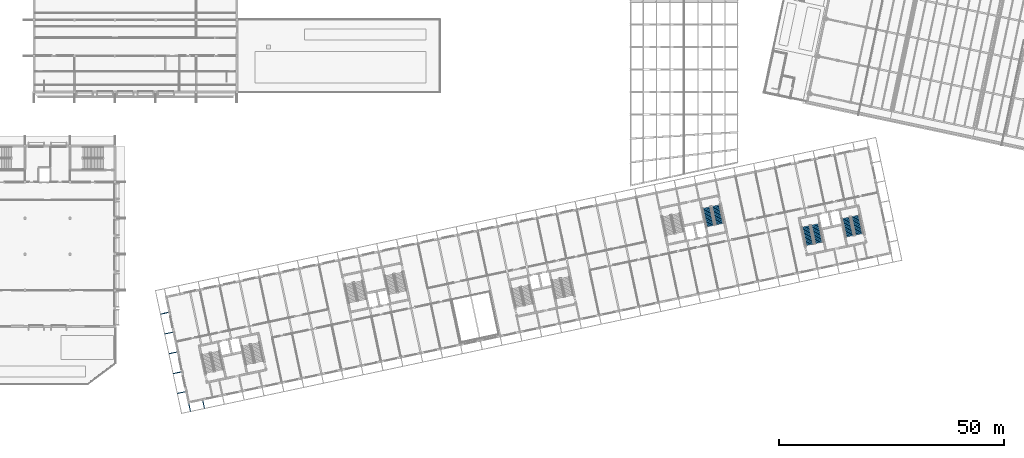
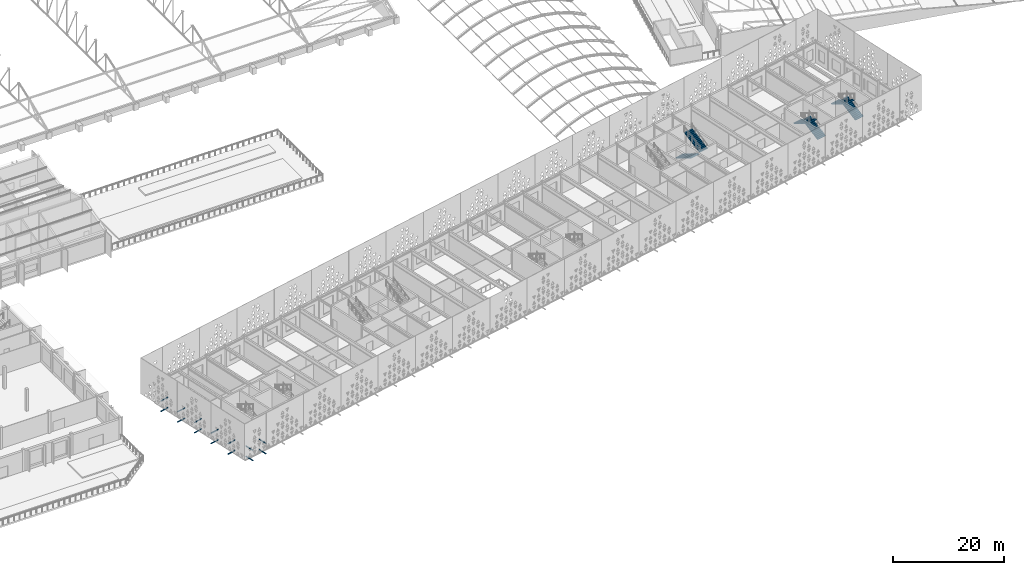
# One storey, part 132 of 196: 14 discrete accessories, 6 stair flights, 3 elements without a shape of their own.
"""IFC4 building model written with IfcOpenShell, lengths in metres."""

from ifc_helpers import new_model, si_unit, direction, frame, origin, origin_2d, place, context, subcontext, project, spatial, polyline, rectangle, outline, extrude, material, material_profile, profile_set, type_object, element, aggregate, save


model = new_model("IFC4")

# Units and contexts
model_context = context("Model", 3, precision=1e-05, world=origin(), true_north=direction((0.0, 1.0)))
body_context = subcontext(model_context, "Body", "Model", "MODEL_VIEW")
ifc_project = project(units=[si_unit("LENGTHUNIT", "METRE"), si_unit("AREAUNIT", "SQUARE_METRE"), si_unit("VOLUMEUNIT", "CUBIC_METRE"), si_unit("PLANEANGLEUNIT", "RADIAN"), si_unit("MASSUNIT", "GRAM", prefix="KILO")], contexts=[model_context])

# Site, building, storey
site_placement = place(None, origin())
site = spatial("IfcSite", under=ifc_project, at=site_placement, CompositionType="ELEMENT")
building_placement = place(site_placement, origin())
building = spatial("IfcBuilding", under=site, at=building_placement, Name="Okhra Congress Centre", CompositionType="ELEMENT")
storey_placement = place(building_placement, frame((0.0, 0.0, 12.0)))
storey = spatial("IfcBuildingStorey", under=building, at=storey_placement, Name="L02", CompositionType="ELEMENT", Elevation=12.0)

# Stair, stair flights
ifc_material_1 = material(Name="Concrete C30/37", Category="concrete")
stair_type = type_object("IfcStairType", Name="Escape stair 1900 wide, 30 risers of 160.0", PredefinedType="HALF_TURN_STAIR", material=ifc_material_1)
stair_1_placement = place(storey_placement, origin())
stair_1 = element("IfcStair", 1, at=stair_1_placement, inside=storey, type_object=stair_type, Name="L02 Escape stair 4B", PredefinedType="HALF_TURN_STAIR")
stair_flight_type = type_object("IfcStairFlightType", Name="Stair flight 1900 wide", PredefinedType="STRAIGHT", material=ifc_material_1)
stair_flight_1_placement = place(storey_placement, frame((177.247802734375, 70.352783203125, 0.0), z_axis=(0.0, 0.0, 1.0), x_axis=(0.207911690818, -0.978147600734, 0.0)))
stair_flight_1 = element("IfcStairFlight", 2, at=stair_flight_1_placement, type_object=stair_flight_type, Name="BS4B flight 1", NumberOfRisers=15, NumberOfTreads=14, PredefinedType="STRAIGHT", RiserHeight=0.16, TreadLength=0.3, context=body_context, shape_type="SweptSolid", body=[
    extrude(outline(polyline([(0.0, 0.0), (0.0, 0.159912109375), (0.300048828125, 0.159912109375), (0.300048828125, 0.320068359375), (0.60009765625, 0.320068359375), (0.60009765625, 0.47998046875), (0.89990234375, 0.47998046875), (0.89990234375, 0.639892578125), (1.199951171875, 0.639892578125), (1.199951171875, 0.800048828125), (1.5, 0.800048828125), (1.5, 0.9599609375), (1.800048828125, 0.9599609375), (1.800048828125, 1.1201171875), (2.10009765625, 1.1201171875), (2.10009765625, 1.280029296875), (2.39990234375, 1.280029296875), (2.39990234375, 1.43994140625), (2.699951171875, 1.43994140625), (2.699951171875, 1.60009765625), (3.0, 1.60009765625), (3.0, 1.760009765625), (3.300048828125, 1.760009765625), (3.300048828125, 1.919921875), (3.60009765625, 1.919921875), (3.60009765625, 2.080078125), (3.89990234375, 2.080078125), (3.89990234375, 2.239990234375), (4.199951171875, 2.239990234375), (4.199951171875, 2.39990234375), (4.199951171875, 2.103759765625), (0.25537109375, 0.0), (0.0, 0.0)])), frame((0.0, 0.949951171875, 0.0), z_axis=(0.0, -1.0, 0.0), x_axis=(1.0, 0.0, 0.0)), (0.0, 0.0, 1.0), 1.89990234375),
])
stair_flight_2_placement = place(storey_placement, frame((180.17529296875, 66.68115234375, 2.39990234375), z_axis=(0.0, 0.0, 1.0), x_axis=(-0.207911690818, 0.978147600734, 0.0)))
stair_flight_2 = element("IfcStairFlight", 3, at=stair_flight_2_placement, type_object=stair_flight_type, Name="BS4B flight 2", NumberOfRisers=15, NumberOfTreads=14, PredefinedType="STRAIGHT", RiserHeight=0.16, TreadLength=0.3, context=body_context, shape_type="SweptSolid", body=[
    extrude(outline(polyline([(0.0, 0.0), (0.0, 0.159912109375), (0.300048828125, 0.159912109375), (0.300048828125, 0.320068359375), (0.60009765625, 0.320068359375), (0.60009765625, 0.47998046875), (0.89990234375, 0.47998046875), (0.89990234375, 0.639892578125), (1.199951171875, 0.639892578125), (1.199951171875, 0.800048828125), (1.5, 0.800048828125), (1.5, 0.9599609375), (1.800048828125, 0.9599609375), (1.800048828125, 1.1201171875), (2.10009765625, 1.1201171875), (2.10009765625, 1.280029296875), (2.39990234375, 1.280029296875), (2.39990234375, 1.43994140625), (2.699951171875, 1.43994140625), (2.699951171875, 1.60009765625), (3.0, 1.60009765625), (3.0, 1.760009765625), (3.300048828125, 1.760009765625), (3.300048828125, 1.919921875), (3.60009765625, 1.919921875), (3.60009765625, 2.080078125), (3.89990234375, 2.080078125), (3.89990234375, 2.239990234375), (4.199951171875, 2.239990234375), (4.199951171875, 2.39990234375), (4.199951171875, 2.103759765625), (0.25537109375, 0.0), (0.0, 0.0)])), frame((0.0, 0.949951171875, 0.0), z_axis=(0.0, -1.0, 0.0), x_axis=(1.0, 0.0, 0.0)), (0.0, 0.0, 1.0), 1.89990234375),
])
aggregate(stair_1, [stair_flight_1, stair_flight_2])

stair_2_placement = place(storey_placement, origin())
stair_2 = element("IfcStair", 4, at=stair_2_placement, inside=storey, type_object=stair_type, Name="L02 Escape stair 5A", PredefinedType="HALF_TURN_STAIR")
stair_flight_3_placement = place(storey_placement, frame((202.22119140625, 62.52392578125, 0.0), z_axis=(0.0, 0.0, 1.0), x_axis=(-0.207911690818, 0.978147600734, 0.0)))
stair_flight_3 = element("IfcStairFlight", 5, at=stair_flight_3_placement, type_object=stair_flight_type, Name="BS5A flight 1", NumberOfRisers=15, NumberOfTreads=14, PredefinedType="STRAIGHT", RiserHeight=0.16, TreadLength=0.3, context=body_context, shape_type="SweptSolid", body=[
    extrude(outline(polyline([(0.0, 0.0), (0.0, 0.159912109375), (0.300048828125, 0.159912109375), (0.300048828125, 0.320068359375), (0.60009765625, 0.320068359375), (0.60009765625, 0.47998046875), (0.89990234375, 0.47998046875), (0.89990234375, 0.639892578125), (1.199951171875, 0.639892578125), (1.199951171875, 0.800048828125), (1.5, 0.800048828125), (1.5, 0.9599609375), (1.800048828125, 0.9599609375), (1.800048828125, 1.1201171875), (2.10009765625, 1.1201171875), (2.10009765625, 1.280029296875), (2.39990234375, 1.280029296875), (2.39990234375, 1.43994140625), (2.699951171875, 1.43994140625), (2.699951171875, 1.60009765625), (3.0, 1.60009765625), (3.0, 1.760009765625), (3.300048828125, 1.760009765625), (3.300048828125, 1.919921875), (3.60009765625, 1.919921875), (3.60009765625, 2.080078125), (3.89990234375, 2.080078125), (3.89990234375, 2.239990234375), (4.199951171875, 2.239990234375), (4.199951171875, 2.39990234375), (4.199951171875, 2.103759765625), (0.25537109375, 0.0), (0.0, 0.0)])), frame((0.0, 0.949951171875, 0.0), z_axis=(0.0, -1.0, 0.0), x_axis=(1.0, 0.0, 0.0)), (0.0, 0.0, 1.0), 1.89990234375),
])
stair_flight_4_placement = place(storey_placement, frame((199.2939453125, 66.195556640625, 2.39990234375), z_axis=(0.0, 0.0, 1.0), x_axis=(0.207911690818, -0.978147600734, 0.0)))
stair_flight_4 = element("IfcStairFlight", 6, at=stair_flight_4_placement, type_object=stair_flight_type, Name="BS5A flight 2", NumberOfRisers=15, NumberOfTreads=14, PredefinedType="STRAIGHT", RiserHeight=0.16, TreadLength=0.3, context=body_context, shape_type="SweptSolid", body=[
    extrude(outline(polyline([(0.0, 0.0), (0.0, 0.159912109375), (0.300048828125, 0.159912109375), (0.300048828125, 0.320068359375), (0.60009765625, 0.320068359375), (0.60009765625, 0.47998046875), (0.89990234375, 0.47998046875), (0.89990234375, 0.639892578125), (1.199951171875, 0.639892578125), (1.199951171875, 0.800048828125), (1.5, 0.800048828125), (1.5, 0.9599609375), (1.800048828125, 0.9599609375), (1.800048828125, 1.1201171875), (2.10009765625, 1.1201171875), (2.10009765625, 1.280029296875), (2.39990234375, 1.280029296875), (2.39990234375, 1.43994140625), (2.699951171875, 1.43994140625), (2.699951171875, 1.60009765625), (3.0, 1.60009765625), (3.0, 1.760009765625), (3.300048828125, 1.760009765625), (3.300048828125, 1.919921875), (3.60009765625, 1.919921875), (3.60009765625, 2.080078125), (3.89990234375, 2.080078125), (3.89990234375, 2.239990234375), (4.199951171875, 2.239990234375), (4.199951171875, 2.39990234375), (4.199951171875, 2.103759765625), (0.25537109375, 0.0), (0.0, 0.0)])), frame((0.0, 0.949951171875, 0.0), z_axis=(0.0, -1.0, 0.0), x_axis=(1.0, 0.0, 0.0)), (0.0, 0.0, 1.0), 1.89990234375),
])
aggregate(stair_2, [stair_flight_3, stair_flight_4])

stair_3_placement = place(storey_placement, origin())
stair_3 = element("IfcStair", 7, at=stair_3_placement, inside=storey, type_object=stair_type, Name="L02 Escape stair 5B", PredefinedType="HALF_TURN_STAIR")
stair_flight_5_placement = place(storey_placement, frame((211.122314453125, 64.416015625, 0.0), z_axis=(0.0, 0.0, 1.0), x_axis=(-0.207911690818, 0.978147600734, 0.0)))
stair_flight_5 = element("IfcStairFlight", 8, at=stair_flight_5_placement, type_object=stair_flight_type, Name="BS5B flight 1", NumberOfRisers=15, NumberOfTreads=14, PredefinedType="STRAIGHT", RiserHeight=0.16, TreadLength=0.3, context=body_context, shape_type="SweptSolid", body=[
    extrude(outline(polyline([(0.0, 0.0), (0.0, 0.159912109375), (0.300048828125, 0.159912109375), (0.300048828125, 0.320068359375), (0.60009765625, 0.320068359375), (0.60009765625, 0.47998046875), (0.89990234375, 0.47998046875), (0.89990234375, 0.639892578125), (1.199951171875, 0.639892578125), (1.199951171875, 0.800048828125), (1.5, 0.800048828125), (1.5, 0.9599609375), (1.800048828125, 0.9599609375), (1.800048828125, 1.1201171875), (2.10009765625, 1.1201171875), (2.10009765625, 1.280029296875), (2.39990234375, 1.280029296875), (2.39990234375, 1.43994140625), (2.699951171875, 1.43994140625), (2.699951171875, 1.60009765625), (3.0, 1.60009765625), (3.0, 1.760009765625), (3.300048828125, 1.760009765625), (3.300048828125, 1.919921875), (3.60009765625, 1.919921875), (3.60009765625, 2.080078125), (3.89990234375, 2.080078125), (3.89990234375, 2.239990234375), (4.199951171875, 2.239990234375), (4.199951171875, 2.39990234375), (4.199951171875, 2.103759765625), (0.25537109375, 0.0), (0.0, 0.0)])), frame((0.0, 0.949951171875, 0.0), z_axis=(0.0, -1.0, 0.0), x_axis=(1.0, 0.0, 0.0)), (0.0, 0.0, 1.0), 1.89990234375),
])
stair_flight_6_placement = place(storey_placement, frame((208.195068359375, 68.087646484375, 2.39990234375), z_axis=(0.0, 0.0, 1.0), x_axis=(0.207911690818, -0.978147600734, 0.0)))
stair_flight_6 = element("IfcStairFlight", 9, at=stair_flight_6_placement, type_object=stair_flight_type, Name="BS5B flight 2", NumberOfRisers=15, NumberOfTreads=14, PredefinedType="STRAIGHT", RiserHeight=0.16, TreadLength=0.3, context=body_context, shape_type="SweptSolid", body=[
    extrude(outline(polyline([(0.0, 0.0), (0.0, 0.159912109375), (0.300048828125, 0.159912109375), (0.300048828125, 0.320068359375), (0.60009765625, 0.320068359375), (0.60009765625, 0.47998046875), (0.89990234375, 0.47998046875), (0.89990234375, 0.639892578125), (1.199951171875, 0.639892578125), (1.199951171875, 0.800048828125), (1.5, 0.800048828125), (1.5, 0.9599609375), (1.800048828125, 0.9599609375), (1.800048828125, 1.1201171875), (2.10009765625, 1.1201171875), (2.10009765625, 1.280029296875), (2.39990234375, 1.280029296875), (2.39990234375, 1.43994140625), (2.699951171875, 1.43994140625), (2.699951171875, 1.60009765625), (3.0, 1.60009765625), (3.0, 1.760009765625), (3.300048828125, 1.760009765625), (3.300048828125, 1.919921875), (3.60009765625, 1.919921875), (3.60009765625, 2.080078125), (3.89990234375, 2.080078125), (3.89990234375, 2.239990234375), (4.199951171875, 2.239990234375), (4.199951171875, 2.39990234375), (4.199951171875, 2.103759765625), (0.25537109375, 0.0), (0.0, 0.0)])), frame((0.0, 0.949951171875, 0.0), z_axis=(0.0, -1.0, 0.0), x_axis=(1.0, 0.0, 0.0)), (0.0, 0.0, 1.0), 1.89990234375),
])
aggregate(stair_3, [stair_flight_5, stair_flight_6])

# Discrete accessories
ifc_material_2 = material(Name="Steel S355J2 outrigger, galvanised", Category="steel")
ifc_material_profile = material_profile(ifc_material_2, rectangle(XDim=0.1201171875, YDim=0.1201171875, at=origin_2d()), Name="Screen outrigger bracket 120x120")
ifc_profile_set = profile_set([ifc_material_profile], Name="Steel S355J2 outrigger, galvanised")
discrete_accessory_type = type_object("IfcDiscreteAccessoryType", Name="Screen outrigger bracket 120x120", PredefinedType="BRACKET", material=ifc_profile_set)
for number, where, z_axis, x_axis, name in (
    (10, (62.352783203125, 26.86962890625, 0.81005859375), (0.207885223274, -0.97815322621, 0.0), (0.97815322621, 0.207885223274, 0.0), "Screen outrigger 3"),
    (11, (62.352783203125, 26.86962890625, 3.070068359375), (0.207885223274, -0.97815322621, 0.0), (0.97815322621, 0.207885223274, 0.0), "Screen outrigger 4"),
):
    element("IfcDiscreteAccessory", number, at=place(storey_placement, frame(where, z_axis=z_axis, x_axis=x_axis)), inside=storey, type_object=discrete_accessory_type, Name=name, PredefinedType="BRACKET", context=body_context, shape_type="SweptSolid", body=[
        extrude(rectangle(XDim=0.1201171875, YDim=0.1201171875, at=origin_2d()), origin(), (0.0, 0.0, 1.0), 1.76513671875),
    ])
for number, where, z_axis, x_axis, name in (
    (12, (65.45849609375, 27.529541015625, 0.81005859375), (0.207913352163, -0.978147247602, 0.0), (0.978147247602, 0.207913352163, 0.0), "Screen outrigger 18"),
    (13, (65.45849609375, 27.529541015625, 3.070068359375), (0.207913352163, -0.978147247602, 0.0), (0.978147247602, 0.207913352163, 0.0), "Screen outrigger 19"),
    (14, (61.572998046875, 29.4794921875, 0.81005859375), (-0.978147247602, -0.207913352163, 0.0), (0.207913352163, -0.978147247602, 0.0), "Screen outrigger 684"),
    (15, (61.572998046875, 29.4794921875, 3.070068359375), (-0.978147247602, -0.207913352163, 0.0), (0.207913352163, -0.978147247602, 0.0), "Screen outrigger 685"),
    (16, (60.637451171875, 33.881103515625, 0.81005859375), (-0.978147247602, -0.207913352163, 0.0), (0.207913352163, -0.978147247602, 0.0), "Screen outrigger 703"),
    (17, (60.637451171875, 33.881103515625, 3.070068359375), (-0.978147247602, -0.207913352163, 0.0), (0.207913352163, -0.978147247602, 0.0), "Screen outrigger 704"),
    (18, (59.701904296875, 38.28271484375, 0.81005859375), (-0.978147247602, -0.207913352163, 0.0), (0.207913352163, -0.978147247602, 0.0), "Screen outrigger 721"),
    (19, (59.701904296875, 38.28271484375, 3.070068359375), (-0.978147247602, -0.207913352163, 0.0), (0.207913352163, -0.978147247602, 0.0), "Screen outrigger 722"),
):
    element("IfcDiscreteAccessory", number, at=place(storey_placement, frame(where, z_axis=z_axis, x_axis=x_axis)), inside=storey, type_object=discrete_accessory_type, Name=name, PredefinedType="BRACKET", context=body_context, shape_type="SweptSolid", body=[
        extrude(rectangle(XDim=0.1201171875, YDim=0.1201171875, at=origin_2d()), origin(), (0.0, 0.0, 1.0), 1.764892578125),
    ])
for number, where, z_axis, x_axis, name in (
    (20, (58.766357421875, 42.6845703125, 0.81005859375), (-0.978125092897, -0.208017553693, 0.0), (0.208017553693, -0.978125092897, 0.0), "Screen outrigger 739"),
    (21, (58.766357421875, 42.6845703125, 3.070068359375), (-0.978125092897, -0.208017553693, 0.0), (0.208017553693, -0.978125092897, 0.0), "Screen outrigger 740"),
    (22, (57.830810546875, 47.086181640625, 0.81005859375), (-0.97815322621, -0.207885223274, 0.0), (0.207885223274, -0.97815322621, 0.0), "Screen outrigger 757"),
    (23, (57.830810546875, 47.086181640625, 3.070068359375), (-0.97815322621, -0.207885223274, 0.0), (0.207885223274, -0.97815322621, 0.0), "Screen outrigger 758"),
):
    element("IfcDiscreteAccessory", number, at=place(storey_placement, frame(where, z_axis=z_axis, x_axis=x_axis)), inside=storey, type_object=discrete_accessory_type, Name=name, PredefinedType="BRACKET", context=body_context, shape_type="SweptSolid", body=[
        extrude(rectangle(XDim=0.1201171875, YDim=0.1201171875, at=origin_2d()), origin(), (0.0, 0.0, 1.0), 1.76513671875),
    ])

save(model, "model.ifc")
